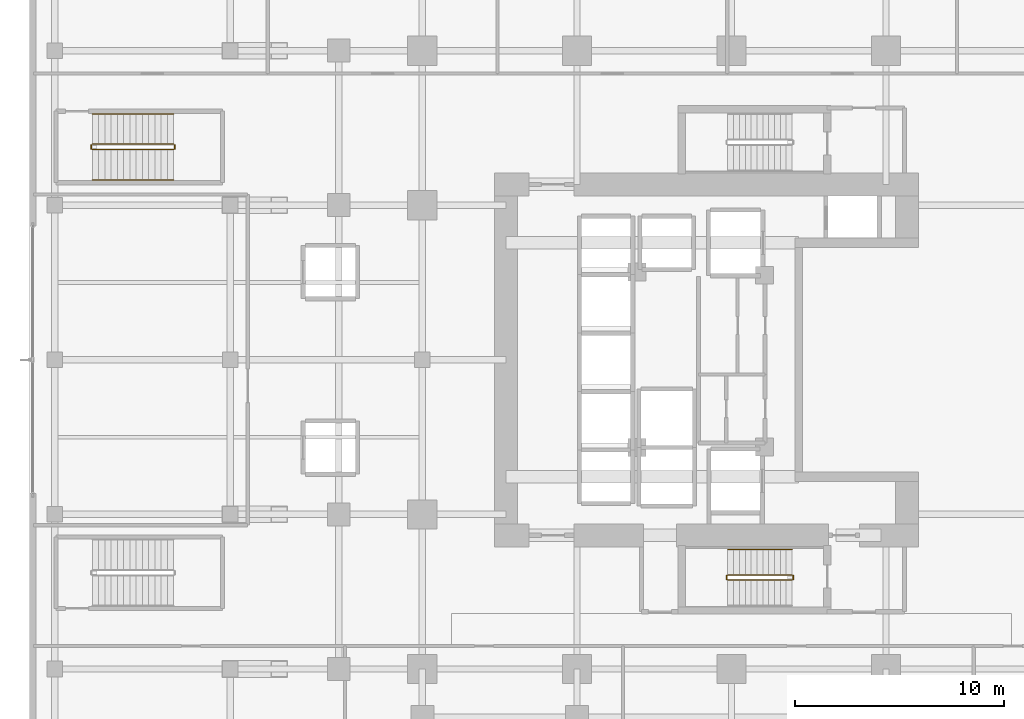
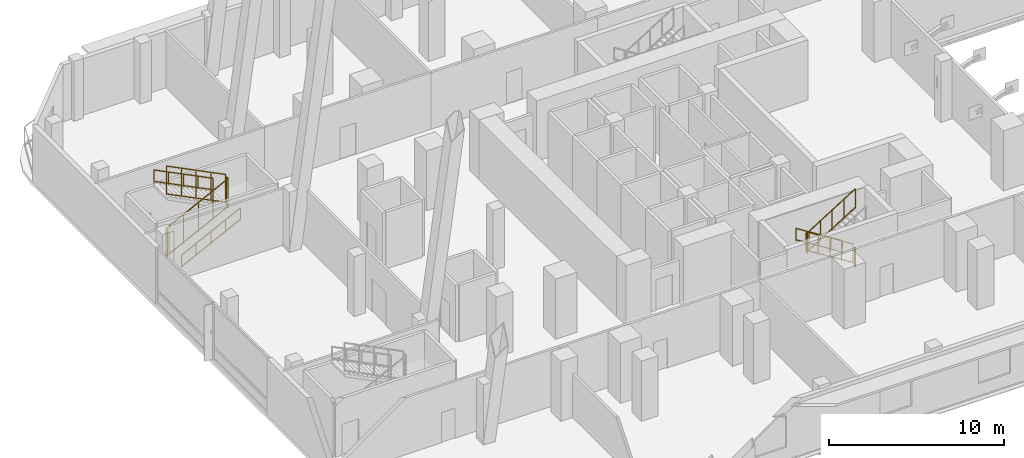
# One storey, part 19 of 23: 11 railings.
"""IFC4 building model written with IfcOpenShell, lengths in metres."""

from ifc_helpers import new_model, si_unit, direction, frame, origin, origin_2d, place, context, subcontext, project, spatial, rectangle, extrude, material, type_object, element, save


model = new_model("IFC4")

# Units and contexts
model_context = context("Model", 3, precision=1e-05, world=origin(), true_north=direction((0.0, 1.0)))
body_context = subcontext(model_context, "Body", "Model", "MODEL_VIEW")
ifc_project = project(units=[si_unit("LENGTHUNIT", "METRE"), si_unit("AREAUNIT", "SQUARE_METRE"), si_unit("VOLUMEUNIT", "CUBIC_METRE"), si_unit("PLANEANGLEUNIT", "RADIAN"), si_unit("MASSUNIT", "GRAM", prefix="KILO")], contexts=[model_context])

# Site, building, storey
site_placement = place(None, origin())
site = spatial("IfcSite", under=ifc_project, at=site_placement, CompositionType="ELEMENT")
building_placement = place(site_placement, origin())
building = spatial("IfcBuilding", under=site, at=building_placement, Name="Khorvyn Point Tower", CompositionType="ELEMENT")
storey_placement = place(building_placement, frame((0.0, 0.0, 9.0)))
storey = spatial("IfcBuildingStorey", under=building, at=storey_placement, Name="L03", CompositionType="ELEMENT", Elevation=9.0)

# Railings
ifc_material = material(Name="Stainless steel 1.4301", Category="steel")
railing_type_1 = type_object("IfcRailingType", Name="Stainless Steel 304 Stair Pitch Handrail 900", PredefinedType="HANDRAIL", material=ifc_material)
railing_1_placement = place(storey_placement, frame((2.89990234375, -9.070068359375, 0.175048828125)))
element("IfcRailing", 1, at=railing_1_placement, inside=storey, type_object=railing_type_1, Name="L03 ST-01 stair handrail 1", PredefinedType="HANDRAIL", context=body_context, shape_type="SweptSolid", body=[
    extrude(rectangle(XDim=0.048095703125, YDim=0.048095703125, at=origin_2d()), frame((0.0, 0.0, 0.8759765625), z_axis=(-0.847979421464, 0.0, 0.530029150871), x_axis=(0.0, -1.0, 0.0)), (0.0, 0.0, 1.0), 3.632080078125),
    extrude(rectangle(XDim=0.048095703125, YDim=0.048095703125, at=origin_2d()), frame((0.0, 0.0, 0.080078125), z_axis=(-0.847979421464, 0.0, 0.530029150871), x_axis=(0.0, -1.0, 0.0)), (0.0, 0.0, 1.0), 3.632080078125),
    extrude(rectangle(XDim=0.0419921875, YDim=0.0419921875, at=origin_2d()), origin(), (0.0, 0.0, 1.0), 0.851806640625),
    extrude(rectangle(XDim=0.0419921875, YDim=0.0419921875, at=origin_2d()), frame((-0.77001953125, 0.0, 0.481201171875)), (0.0, 0.0, 1.0), 0.851806640625),
    extrude(rectangle(XDim=0.0419921875, YDim=0.0419921875, at=origin_2d()), frame((-1.5400390625, 0.0, 0.96240234375)), (0.0, 0.0, 1.0), 0.851806640625),
    extrude(rectangle(XDim=0.0419921875, YDim=0.0419921875, at=origin_2d()), frame((-2.309814453125, 0.0, 1.44384765625)), (0.0, 0.0, 1.0), 0.851806640625),
    extrude(rectangle(XDim=0.0419921875, YDim=0.0419921875, at=origin_2d()), frame((-3.079833984375, 0.0, 1.925048828125)), (0.0, 0.0, 1.0), 0.851806640625),
])
railing_2_placement = place(storey_placement, frame((-30.60009765625, 8.610107421875, 0.14990234375)))
element("IfcRailing", 2, at=railing_2_placement, inside=storey, type_object=railing_type_1, Name="L03 ST-S2 stair handrail 1", PredefinedType="HANDRAIL", context=body_context, shape_type="SweptSolid", body=[
    extrude(rectangle(XDim=0.048095703125, YDim=0.048095703125, at=origin_2d()), frame((0.0, 0.0, 0.8759765625), z_axis=(0.894415993023, 0.0, 0.447235990752), x_axis=(0.0, 1.0, 0.0)), (0.0, 0.0, 1.0), 4.360595703125),
    extrude(rectangle(XDim=0.048095703125, YDim=0.048095703125, at=origin_2d()), frame((0.0, 0.0, 0.080078125), z_axis=(0.894415993023, 0.0, 0.447235990752), x_axis=(0.0, 1.0, 0.0)), (0.0, 0.0, 1.0), 4.360595703125),
    extrude(rectangle(XDim=0.0419921875, YDim=0.0419921875, at=origin_2d()), origin(), (0.0, 0.0, 1.0), 0.851806640625),
    extrude(rectangle(XDim=0.0419921875, YDim=0.0419921875, at=origin_2d()), frame((0.97509765625, 0.0, 0.487548828125)), (0.0, 0.0, 1.0), 0.851806640625),
    extrude(rectangle(XDim=0.0419921875, YDim=0.0419921875, at=origin_2d()), frame((1.9501953125, 0.0, 0.97509765625)), (0.0, 0.0, 1.0), 0.851806640625),
    extrude(rectangle(XDim=0.0419921875, YDim=0.0419921875, at=origin_2d()), frame((2.925048828125, 0.0, 1.462646484375)), (0.0, 0.0, 1.0), 0.851806640625),
    extrude(rectangle(XDim=0.0419921875, YDim=0.0419921875, at=origin_2d()), frame((3.900146484375, 0.0, 1.9501953125)), (0.0, 0.0, 1.0), 0.851806640625),
])
railing_3_placement = place(storey_placement, frame((-26.699951171875, 11.77001953125, 2.25)))
element("IfcRailing", 3, at=railing_3_placement, inside=storey, type_object=railing_type_1, Name="L03 ST-S2 stair handrail 2", PredefinedType="HANDRAIL", context=body_context, shape_type="SweptSolid", body=[
    extrude(rectangle(XDim=0.048095703125, YDim=0.048095703125, at=origin_2d()), frame((0.0, 0.0, 0.8759765625), z_axis=(-0.894438388696, 0.0, 0.447191199406), x_axis=(0.0, -1.0, 0.0)), (0.0, 0.0, 1.0), 4.3603515625),
    extrude(rectangle(XDim=0.048095703125, YDim=0.048095703125, at=origin_2d()), frame((0.0, 0.0, 0.080078125), z_axis=(-0.894438388696, 0.0, 0.447191199406), x_axis=(0.0, -1.0, 0.0)), (0.0, 0.0, 1.0), 4.3603515625),
    extrude(rectangle(XDim=0.0419921875, YDim=0.0419921875, at=origin_2d()), origin(), (0.0, 0.0, 1.0), 0.851806640625),
    extrude(rectangle(XDim=0.0419921875, YDim=0.0419921875, at=origin_2d()), frame((-0.97509765625, 0.0, 0.487548828125)), (0.0, 0.0, 1.0), 0.851806640625),
    extrude(rectangle(XDim=0.0419921875, YDim=0.0419921875, at=origin_2d()), frame((-1.9501953125, 0.0, 0.97509765625)), (0.0, 0.0, 1.0), 0.851806640625),
    extrude(rectangle(XDim=0.0419921875, YDim=0.0419921875, at=origin_2d()), frame((-2.925048828125, 0.0, 1.46240234375)), (0.0, 0.0, 1.0), 0.851806640625),
    extrude(rectangle(XDim=0.0419921875, YDim=0.0419921875, at=origin_2d()), frame((-3.900146484375, 0.0, 1.949951171875)), (0.0, 0.0, 1.0), 0.851806640625),
])
railing_type_2 = type_object("IfcRailingType", Name="Stainless Steel 304 Stair Well Guardrail 1400", PredefinedType="GUARDRAIL", material=ifc_material)
railing_4_placement = place(storey_placement, frame((2.89990234375, -10.2900390625, 0.175048828125)))
element("IfcRailing", 4, at=railing_4_placement, inside=storey, type_object=railing_type_2, Name="L03 ST-01 stair guard 1", PredefinedType="GUARDRAIL", context=body_context, shape_type="SweptSolid", body=[
    extrude(rectangle(XDim=0.048095703125, YDim=0.048095703125, at=origin_2d()), frame((0.0, 0.0, 1.3759765625), z_axis=(-0.847979421464, 0.0, 0.530029150871), x_axis=(0.0, -1.0, 0.0)), (0.0, 0.0, 1.0), 3.632080078125),
    extrude(rectangle(XDim=0.048095703125, YDim=0.048095703125, at=origin_2d()), frame((0.0, 0.0, 0.080078125), z_axis=(-0.847979421464, 0.0, 0.530029150871), x_axis=(0.0, -1.0, 0.0)), (0.0, 0.0, 1.0), 3.632080078125),
    extrude(rectangle(XDim=0.0419921875, YDim=0.0419921875, at=origin_2d()), origin(), (0.0, 0.0, 1.0), 1.351806640625),
    extrude(rectangle(XDim=0.0419921875, YDim=0.0419921875, at=origin_2d()), frame((-0.77001953125, 0.0, 0.481201171875)), (0.0, 0.0, 1.0), 1.351806640625),
    extrude(rectangle(XDim=0.0419921875, YDim=0.0419921875, at=origin_2d()), frame((-1.5400390625, 0.0, 0.96240234375)), (0.0, 0.0, 1.0), 1.351806640625),
    extrude(rectangle(XDim=0.0419921875, YDim=0.0419921875, at=origin_2d()), frame((-2.309814453125, 0.0, 1.44384765625)), (0.0, 0.0, 1.0), 1.351806640625),
    extrude(rectangle(XDim=0.0419921875, YDim=0.0419921875, at=origin_2d()), frame((-3.079833984375, 0.0, 1.925048828125)), (0.0, 0.0, 1.0), 1.351806640625),
])
railing_5_placement = place(storey_placement, frame((-0.22998046875, -10.340087890625, 2.10009765625)))
element("IfcRailing", 5, at=railing_5_placement, inside=storey, type_object=railing_type_2, Name="L03 ST-01 stair guard 2", PredefinedType="GUARDRAIL", context=body_context, shape_type="SweptSolid", body=[
    extrude(rectangle(XDim=0.048095703125, YDim=0.048095703125, at=origin_2d()), frame((0.0, 0.0, 1.3759765625), z_axis=(0.0, -1.0, 0.0), x_axis=(1.0, 0.0, 0.0)), (0.0, 0.0, 1.0), 0.159912109375),
    extrude(rectangle(XDim=0.048095703125, YDim=0.048095703125, at=origin_2d()), frame((0.0, 0.0, 0.080078125), z_axis=(0.0, -1.0, 0.0), x_axis=(1.0, 0.0, 0.0)), (0.0, 0.0, 1.0), 0.159912109375),
    extrude(rectangle(XDim=0.0419921875, YDim=0.0419921875, at=origin_2d()), origin(), (0.0, 0.0, 1.0), 1.351806640625),
    extrude(rectangle(XDim=0.0419921875, YDim=0.0419921875, at=origin_2d()), frame((0.0, -0.159912109375, 0.0)), (0.0, 0.0, 1.0), 1.351806640625),
])
railing_6_placement = place(storey_placement, frame((-0.179931640625, -10.550048828125, 2.27490234375)))
element("IfcRailing", 6, at=railing_6_placement, inside=storey, type_object=railing_type_2, Name="L03 ST-01 stair guard 3", PredefinedType="GUARDRAIL", context=body_context, shape_type="SweptSolid", body=[
    extrude(rectangle(XDim=0.048095703125, YDim=0.048095703125, at=origin_2d()), frame((0.0, 0.0, 1.3759765625), z_axis=(0.847979421464, 0.0, 0.530029150871), x_axis=(0.0, 1.0, 0.0)), (0.0, 0.0, 1.0), 3.632080078125),
    extrude(rectangle(XDim=0.048095703125, YDim=0.048095703125, at=origin_2d()), frame((0.0, 0.0, 0.080078125), z_axis=(0.847979421464, 0.0, 0.530029150871), x_axis=(0.0, 1.0, 0.0)), (0.0, 0.0, 1.0), 3.632080078125),
    extrude(rectangle(XDim=0.0419921875, YDim=0.0419921875, at=origin_2d()), origin(), (0.0, 0.0, 1.0), 1.351806640625),
    extrude(rectangle(XDim=0.0419921875, YDim=0.0419921875, at=origin_2d()), frame((0.77001953125, 0.0, 0.481201171875)), (0.0, 0.0, 1.0), 1.351806640625),
    extrude(rectangle(XDim=0.0419921875, YDim=0.0419921875, at=origin_2d()), frame((1.5400390625, 0.0, 0.96240234375)), (0.0, 0.0, 1.0), 1.351806640625),
    extrude(rectangle(XDim=0.0419921875, YDim=0.0419921875, at=origin_2d()), frame((2.309814453125, 0.0, 1.44384765625)), (0.0, 0.0, 1.0), 1.351806640625),
    extrude(rectangle(XDim=0.0419921875, YDim=0.0419921875, at=origin_2d()), frame((3.079833984375, 0.0, 1.925048828125)), (0.0, 0.0, 1.0), 1.351806640625),
])
railing_7_placement = place(storey_placement, frame((2.949951171875, -10.340087890625, 0.0)))
element("IfcRailing", 7, at=railing_7_placement, inside=storey, type_object=railing_type_2, Name="L03 ST-01 stair guard 4", PredefinedType="GUARDRAIL", context=body_context, shape_type="SweptSolid", body=[
    extrude(rectangle(XDim=0.048095703125, YDim=0.048095703125, at=origin_2d()), frame((0.0, 0.0, 1.3759765625), z_axis=(0.0, -1.0, 0.0), x_axis=(1.0, 0.0, 0.0)), (0.0, 0.0, 1.0), 0.159912109375),
    extrude(rectangle(XDim=0.048095703125, YDim=0.048095703125, at=origin_2d()), frame((0.0, 0.0, 0.080078125), z_axis=(0.0, -1.0, 0.0), x_axis=(1.0, 0.0, 0.0)), (0.0, 0.0, 1.0), 0.159912109375),
    extrude(rectangle(XDim=0.0419921875, YDim=0.0419921875, at=origin_2d()), origin(), (0.0, 0.0, 1.0), 1.351806640625),
    extrude(rectangle(XDim=0.0419921875, YDim=0.0419921875, at=origin_2d()), frame((0.0, -0.159912109375, 0.0)), (0.0, 0.0, 1.0), 1.351806640625),
])
railing_8_placement = place(storey_placement, frame((-30.60009765625, 10.06005859375, 0.14990234375)))
element("IfcRailing", 8, at=railing_8_placement, inside=storey, type_object=railing_type_2, Name="L03 ST-S2 stair guard 1", PredefinedType="GUARDRAIL", context=body_context, shape_type="SweptSolid", body=[
    extrude(rectangle(XDim=0.048095703125, YDim=0.048095703125, at=origin_2d()), frame((0.0, 0.0, 2.02587890625), z_axis=(0.894415993023, 0.0, 0.447235990752), x_axis=(0.0, 1.0, 0.0)), (0.0, 0.0, 1.0), 4.360595703125),
    extrude(rectangle(XDim=0.048095703125, YDim=0.048095703125, at=origin_2d()), frame((0.0, 0.0, 0.080078125), z_axis=(0.894415993023, 0.0, 0.447235990752), x_axis=(0.0, 1.0, 0.0)), (0.0, 0.0, 1.0), 4.360595703125),
    extrude(rectangle(XDim=0.0419921875, YDim=0.0419921875, at=origin_2d()), origin(), (0.0, 0.0, 1.0), 2.001953125),
    extrude(rectangle(XDim=0.0419921875, YDim=0.0419921875, at=origin_2d()), frame((0.97509765625, 0.0, 0.487548828125)), (0.0, 0.0, 1.0), 2.001953125),
    extrude(rectangle(XDim=0.0419921875, YDim=0.0419921875, at=origin_2d()), frame((1.9501953125, 0.0, 0.97509765625)), (0.0, 0.0, 1.0), 2.001953125),
    extrude(rectangle(XDim=0.0419921875, YDim=0.0419921875, at=origin_2d()), frame((2.925048828125, 0.0, 1.462646484375)), (0.0, 0.0, 1.0), 2.001953125),
    extrude(rectangle(XDim=0.0419921875, YDim=0.0419921875, at=origin_2d()), frame((3.900146484375, 0.0, 1.9501953125)), (0.0, 0.0, 1.0), 2.001953125),
])
railing_9_placement = place(storey_placement, frame((-26.64990234375, 10.110107421875, 2.10009765625)))
element("IfcRailing", 9, at=railing_9_placement, inside=storey, type_object=railing_type_2, Name="L03 ST-S2 stair guard 2", PredefinedType="GUARDRAIL", context=body_context, shape_type="SweptSolid", body=[
    extrude(rectangle(XDim=0.048095703125, YDim=0.048095703125, at=origin_2d()), frame((0.0, 0.0, 2.02587890625), z_axis=(0.0, 1.0, 0.0), x_axis=(-1.0, 0.0, 0.0)), (0.0, 0.0, 1.0), 0.159912109375),
    extrude(rectangle(XDim=0.048095703125, YDim=0.048095703125, at=origin_2d()), frame((0.0, 0.0, 0.080078125), z_axis=(0.0, 1.0, 0.0), x_axis=(-1.0, 0.0, 0.0)), (0.0, 0.0, 1.0), 0.159912109375),
    extrude(rectangle(XDim=0.0419921875, YDim=0.0419921875, at=origin_2d()), origin(), (0.0, 0.0, 1.0), 2.001953125),
    extrude(rectangle(XDim=0.0419921875, YDim=0.0419921875, at=origin_2d()), frame((0.0, 0.159912109375, 0.0)), (0.0, 0.0, 1.0), 2.001953125),
])
railing_10_placement = place(storey_placement, frame((-26.699951171875, 10.320068359375, 2.25)))
element("IfcRailing", 10, at=railing_10_placement, inside=storey, type_object=railing_type_2, Name="L03 ST-S2 stair guard 3", PredefinedType="GUARDRAIL", context=body_context, shape_type="SweptSolid", body=[
    extrude(rectangle(XDim=0.048095703125, YDim=0.048095703125, at=origin_2d()), frame((0.0, 0.0, 2.02587890625), z_axis=(-0.894438388696, 0.0, 0.447191199406), x_axis=(0.0, -1.0, 0.0)), (0.0, 0.0, 1.0), 4.3603515625),
    extrude(rectangle(XDim=0.048095703125, YDim=0.048095703125, at=origin_2d()), frame((0.0, 0.0, 0.080078125), z_axis=(-0.894438388696, 0.0, 0.447191199406), x_axis=(0.0, -1.0, 0.0)), (0.0, 0.0, 1.0), 4.3603515625),
    extrude(rectangle(XDim=0.0419921875, YDim=0.0419921875, at=origin_2d()), origin(), (0.0, 0.0, 1.0), 2.001953125),
    extrude(rectangle(XDim=0.0419921875, YDim=0.0419921875, at=origin_2d()), frame((-0.97509765625, 0.0, 0.487548828125)), (0.0, 0.0, 1.0), 2.001953125),
    extrude(rectangle(XDim=0.0419921875, YDim=0.0419921875, at=origin_2d()), frame((-1.9501953125, 0.0, 0.97509765625)), (0.0, 0.0, 1.0), 2.001953125),
    extrude(rectangle(XDim=0.0419921875, YDim=0.0419921875, at=origin_2d()), frame((-2.925048828125, 0.0, 1.46240234375)), (0.0, 0.0, 1.0), 2.001953125),
    extrude(rectangle(XDim=0.0419921875, YDim=0.0419921875, at=origin_2d()), frame((-3.900146484375, 0.0, 1.949951171875)), (0.0, 0.0, 1.0), 2.001953125),
])
railing_11_placement = place(storey_placement, frame((-30.64990234375, 10.110107421875, 0.0)))
element("IfcRailing", 11, at=railing_11_placement, inside=storey, type_object=railing_type_2, Name="L03 ST-S2 stair guard 4", PredefinedType="GUARDRAIL", context=body_context, shape_type="SweptSolid", body=[
    extrude(rectangle(XDim=0.048095703125, YDim=0.048095703125, at=origin_2d()), frame((0.0, 0.0, 2.02587890625), z_axis=(0.0, 1.0, 0.0), x_axis=(-1.0, 0.0, 0.0)), (0.0, 0.0, 1.0), 0.159912109375),
    extrude(rectangle(XDim=0.048095703125, YDim=0.048095703125, at=origin_2d()), frame((0.0, 0.0, 0.080078125), z_axis=(0.0, 1.0, 0.0), x_axis=(-1.0, 0.0, 0.0)), (0.0, 0.0, 1.0), 0.159912109375),
    extrude(rectangle(XDim=0.0419921875, YDim=0.0419921875, at=origin_2d()), origin(), (0.0, 0.0, 1.0), 2.001953125),
    extrude(rectangle(XDim=0.0419921875, YDim=0.0419921875, at=origin_2d()), frame((0.0, 0.159912109375, 0.0)), (0.0, 0.0, 1.0), 2.001953125),
])

save(model, "model.ifc")
